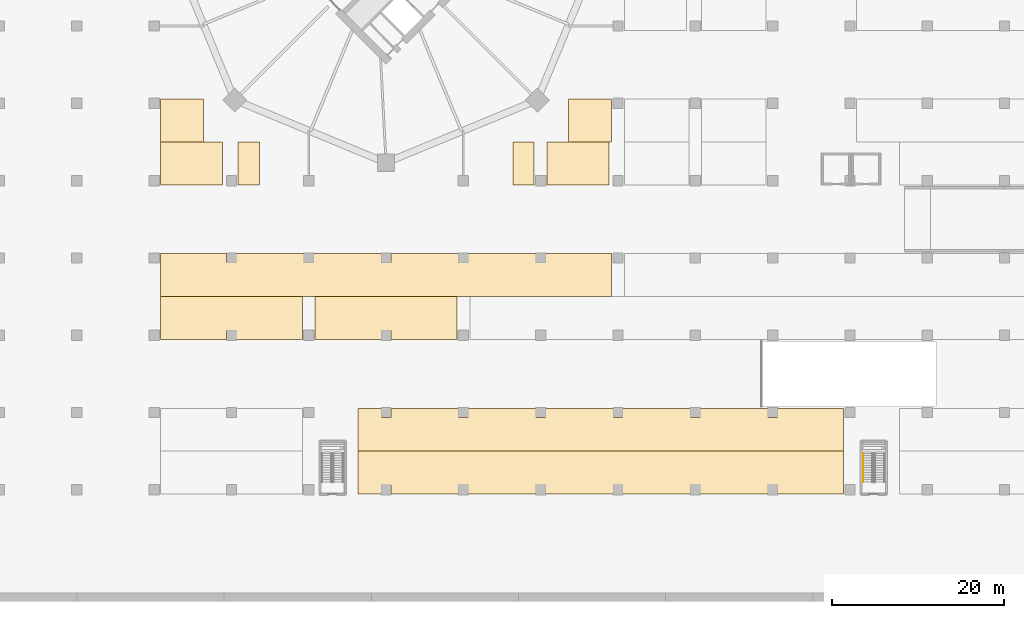
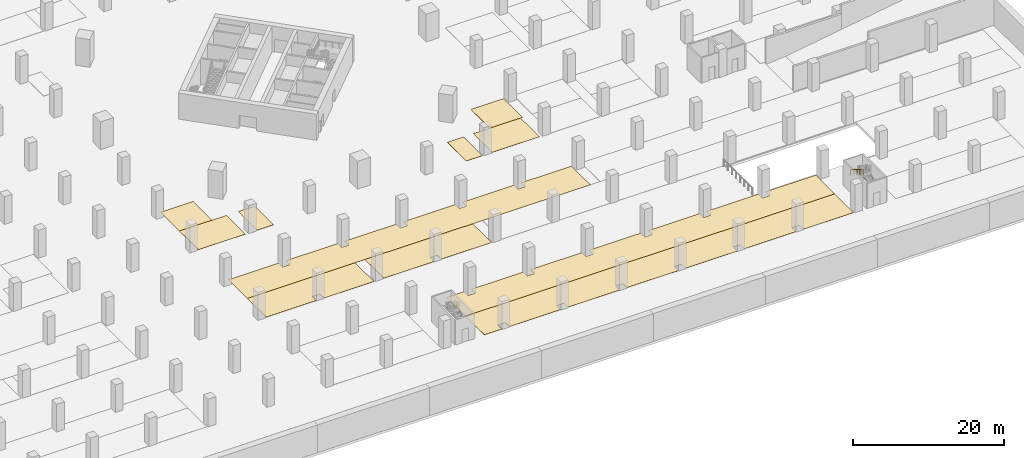
# One storey, part 27 of 34: 11 coverings, 1 railing.
"""IFC4 building model written with IfcOpenShell, lengths in metres."""

from ifc_helpers import new_model, si_unit, direction, frame, origin, origin_2d, place, context, subcontext, project, spatial, polyline, circle, outline, extrude, material, layer, layer_set, type_object, element, save


model = new_model("IFC4")

# Units and contexts
model_context = context("Model", 3, precision=1e-05, world=origin(), true_north=direction((0.0, 1.0)))
body_context = subcontext(model_context, "Body", "Model", "MODEL_VIEW")
ifc_project = project(units=[si_unit("LENGTHUNIT", "METRE"), si_unit("AREAUNIT", "SQUARE_METRE"), si_unit("VOLUMEUNIT", "CUBIC_METRE"), si_unit("PLANEANGLEUNIT", "RADIAN"), si_unit("MASSUNIT", "GRAM", prefix="KILO")], contexts=[model_context])

# Site, building, storey
site_placement = place(None, origin())
site = spatial("IfcSite", under=ifc_project, at=site_placement, CompositionType="ELEMENT")
building_placement = place(site_placement, origin())
building = spatial("IfcBuilding", under=site, at=building_placement, Name="Ogive Gate Towers", CompositionType="ELEMENT")
storey_placement = place(building_placement, frame((0.0, 0.0, -4.5)))
storey = spatial("IfcBuildingStorey", under=building, at=storey_placement, Name="B1", CompositionType="ELEMENT", Elevation=-4.5)

# Coverings
ifc_material_1 = material(Name="Painted floor marking")
ifc_layer_1 = layer(ifc_material_1, 0.02001953125)
ifc_layer_set_1 = layer_set([ifc_layer_1], Name="Accessible bay marking")
covering_type_1 = type_object("IfcCoveringType", Name="Accessible bay marking", PredefinedType="FLOORING", material=ifc_layer_set_1)
covering_1_placement = place(storey_placement, origin())
element("IfcCovering", 1, at=covering_1_placement, inside=storey, type_object=covering_type_1, Name="Accessible parking bays B1-230 to B1-231", PredefinedType="FLOORING", context=body_context, shape_type="SweptSolid", body=[
    extrude(outline(polyline([(16.949951171875, -27.5), (9.75, -27.5), (9.75, -22.5), (16.949951171875, -22.5), (16.949951171875, -27.5)])), origin(), (0.0, 0.0, 1.0), 0.02001953125),
])
covering_2_placement = place(storey_placement, origin())
element("IfcCovering", 2, at=covering_2_placement, inside=storey, type_object=covering_type_1, Name="Accessible parking bays B1-234 to B1-235", PredefinedType="FLOORING", context=body_context, shape_type="SweptSolid", body=[
    extrude(outline(polyline([(61.949951171875, -27.5), (54.75, -27.5), (54.75, -22.5), (61.949951171875, -22.5), (61.949951171875, -27.5)])), origin(), (0.0, 0.0, 1.0), 0.02001953125),
])

# Railing
ifc_material_2 = material(Name="Stainless steel handrail", Category="steel")
railing_type = type_object("IfcRailingType", Name="Car park stair handrail 900", PredefinedType="HANDRAIL", material=ifc_material_2)
railing_placement = place(storey_placement, frame((91.550048828125, -58.739990234375, 2.423095703125)))
element("IfcRailing", 3, at=railing_placement, inside=storey, type_object=railing_type, Name="B1 CS8 stair handrail 2", PredefinedType="HANDRAIL", context=body_context, shape_type="SweptSolid", body=[
    extrude(circle(Radius=0.02392578125, at=origin_2d()), frame((0.0, 0.0, 0.8759765625), z_axis=(0.0, -0.850623216509, 0.525775754039), x_axis=(1.0, 0.0, 0.0)), (0.0, 0.0, 1.0), 3.9501953125),
    extrude(circle(Radius=0.02099609375, at=origin_2d()), origin(), (0.0, 0.0, 1.0), 0.851806640625),
    extrude(circle(Radius=0.02099609375, at=origin_2d()), frame((0.0, -0.840087890625, 0.519287109375)), (0.0, 0.0, 1.0), 0.851806640625),
    extrude(circle(Radius=0.02099609375, at=origin_2d()), frame((0.0, -1.68017578125, 1.03857421875)), (0.0, 0.0, 1.0), 0.851806640625),
    extrude(circle(Radius=0.02099609375, at=origin_2d()), frame((0.0, -2.52001953125, 1.5576171875)), (0.0, 0.0, 1.0), 0.851806640625),
    extrude(circle(Radius=0.02099609375, at=origin_2d()), frame((0.0, -3.360107421875, 2.076904296875)), (0.0, 0.0, 1.0), 0.851806640625),
])

# Coverings
ifc_layer_2 = layer(ifc_material_1, 0.02001953125)
ifc_layer_set_2 = layer_set([ifc_layer_2], Name="Charging bay marking")
covering_type_2 = type_object("IfcCoveringType", Name="Charging bay marking", PredefinedType="FLOORING", material=ifc_layer_set_2)
covering_3_placement = place(storey_placement, origin())
element("IfcCovering", 4, at=covering_3_placement, inside=storey, type_object=covering_type_2, Name="Charging bays B1-297 to B1-302", PredefinedType="FLOORING", context=body_context, shape_type="SweptSolid", body=[
    extrude(outline(polyline([(27.75, -40.5), (44.25, -40.5), (44.25, -45.5), (36.550048828125, -45.5), (36.550048828125, -44.449951171875), (35.449951171875, -44.449951171875), (35.449951171875, -45.5), (27.75, -45.5), (27.75, -40.5)])), origin(), (0.0, 0.0, 1.0), 0.02001953125),
])
covering_4_placement = place(storey_placement, origin())
element("IfcCovering", 5, at=covering_4_placement, inside=storey, type_object=covering_type_2, Name="Charging bays B1-704 to B1-721", PredefinedType="FLOORING", context=body_context, shape_type="SweptSolid", body=[
    extrude(outline(polyline([(9.75, -35.5), (17.449951171875, -35.5), (17.449951171875, -36.550048828125), (18.550048828125, -36.550048828125), (18.550048828125, -35.5), (26.449951171875, -35.5), (26.449951171875, -36.550048828125), (27.550048828125, -36.550048828125), (27.550048828125, -35.5), (35.449951171875, -35.5), (35.449951171875, -36.550048828125), (36.550048828125, -36.550048828125), (36.550048828125, -35.5), (44.449951171875, -35.5), (44.449951171875, -36.550048828125), (45.550048828125, -36.550048828125), (45.550048828125, -35.5), (53.449951171875, -35.5), (53.449951171875, -36.550048828125), (54.550048828125, -36.550048828125), (54.550048828125, -35.5), (62.25, -35.5), (62.25, -40.5), (9.75, -40.5), (9.75, -35.5)])), origin(), (0.0, 0.0, 1.0), 0.02001953125),
])
ifc_layer_3 = layer(ifc_material_1, 0.02001953125)
ifc_layer_set_3 = layer_set([ifc_layer_3], Name="Parking bay marking")
covering_type_3 = type_object("IfcCoveringType", Name="Parking bay marking", PredefinedType="FLOORING", material=ifc_layer_set_3)
covering_5_placement = place(storey_placement, origin())
element("IfcCovering", 6, at=covering_5_placement, inside=storey, type_object=covering_type_3, Name="Parking bay B1-232", PredefinedType="FLOORING", context=body_context, shape_type="SweptSolid", body=[
    extrude(outline(polyline([(18.75, -22.5), (21.25, -22.5), (21.25, -27.5), (18.75, -27.5), (18.75, -22.5)])), origin(), (0.0, 0.0, 1.0), 0.02001953125),
])
covering_6_placement = place(storey_placement, origin())
element("IfcCovering", 7, at=covering_6_placement, inside=storey, type_object=covering_type_3, Name="Parking bay B1-233", PredefinedType="FLOORING", context=body_context, shape_type="SweptSolid", body=[
    extrude(outline(polyline([(50.75, -22.5), (53.25, -22.5), (53.25, -27.5), (50.75, -27.5), (50.75, -22.5)])), origin(), (0.0, 0.0, 1.0), 0.02001953125),
])
covering_7_placement = place(storey_placement, origin())
element("IfcCovering", 8, at=covering_7_placement, inside=storey, type_object=covering_type_3, Name="Parking bays B1-291 to B1-296", PredefinedType="FLOORING", context=body_context, shape_type="SweptSolid", body=[
    extrude(outline(polyline([(9.75, -40.5), (26.25, -40.5), (26.25, -45.5), (18.550048828125, -45.5), (18.550048828125, -44.449951171875), (17.449951171875, -44.449951171875), (17.449951171875, -45.5), (9.75, -45.5), (9.75, -40.5)])), origin(), (0.0, 0.0, 1.0), 0.02001953125),
])
covering_8_placement = place(storey_placement, origin())
element("IfcCovering", 9, at=covering_8_placement, inside=storey, type_object=covering_type_3, Name="Parking bays B1-371 to B1-389", PredefinedType="FLOORING", context=body_context, shape_type="SweptSolid", body=[
    extrude(outline(polyline([(89.25, -58.5), (89.25, -63.5), (81.550048828125, -63.5), (81.550048828125, -62.449951171875), (80.449951171875, -62.449951171875), (80.449951171875, -63.5), (72.550048828125, -63.5), (72.550048828125, -62.449951171875), (71.449951171875, -62.449951171875), (71.449951171875, -63.5), (63.550048828125, -63.5), (63.550048828125, -62.449951171875), (62.449951171875, -62.449951171875), (62.449951171875, -63.5), (54.550048828125, -63.5), (54.550048828125, -62.449951171875), (53.449951171875, -62.449951171875), (53.449951171875, -63.5), (45.550048828125, -63.5), (45.550048828125, -62.449951171875), (44.449951171875, -62.449951171875), (44.449951171875, -63.5), (36.550048828125, -63.5), (36.550048828125, -62.449951171875), (35.449951171875, -62.449951171875), (35.449951171875, -63.5), (32.75, -63.5), (32.75, -58.5), (89.25, -58.5)])), origin(), (0.0, 0.0, 1.0), 0.02001953125),
])
covering_9_placement = place(storey_placement, origin())
element("IfcCovering", 10, at=covering_9_placement, inside=storey, type_object=covering_type_3, Name="Parking bays B1-643 to B1-644", PredefinedType="FLOORING", context=body_context, shape_type="SweptSolid", body=[
    extrude(outline(polyline([(9.75, -22.5), (9.75, -17.5), (14.75, -17.5), (14.75, -22.5), (9.75, -22.5)])), origin(), (0.0, 0.0, 1.0), 0.02001953125),
])
covering_10_placement = place(storey_placement, origin())
element("IfcCovering", 11, at=covering_10_placement, inside=storey, type_object=covering_type_3, Name="Parking bays B1-645 to B1-646", PredefinedType="FLOORING", context=body_context, shape_type="SweptSolid", body=[
    extrude(outline(polyline([(62.25, -17.5), (62.25, -22.5), (57.25, -22.5), (57.25, -17.5), (62.25, -17.5)])), origin(), (0.0, 0.0, 1.0), 0.02001953125),
])
covering_11_placement = place(storey_placement, origin())
element("IfcCovering", 12, at=covering_11_placement, inside=storey, type_object=covering_type_3, Name="Parking bays B1-784 to B1-802", PredefinedType="FLOORING", context=body_context, shape_type="SweptSolid", body=[
    extrude(outline(polyline([(35.449951171875, -53.5), (35.449951171875, -54.550048828125), (36.550048828125, -54.550048828125), (36.550048828125, -53.5), (44.449951171875, -53.5), (44.449951171875, -54.550048828125), (45.550048828125, -54.550048828125), (45.550048828125, -53.5), (53.449951171875, -53.5), (53.449951171875, -54.550048828125), (54.550048828125, -54.550048828125), (54.550048828125, -53.5), (62.449951171875, -53.5), (62.449951171875, -54.550048828125), (63.550048828125, -54.550048828125), (63.550048828125, -53.5), (71.449951171875, -53.5), (71.449951171875, -54.550048828125), (72.550048828125, -54.550048828125), (72.550048828125, -53.5), (80.449951171875, -53.5), (80.449951171875, -54.550048828125), (81.550048828125, -54.550048828125), (81.550048828125, -53.5), (89.25, -53.5), (89.25, -58.5), (32.75, -58.5), (32.75, -53.5), (35.449951171875, -53.5)])), origin(), (0.0, 0.0, 1.0), 0.02001953125),
])

save(model, "model.ifc")
